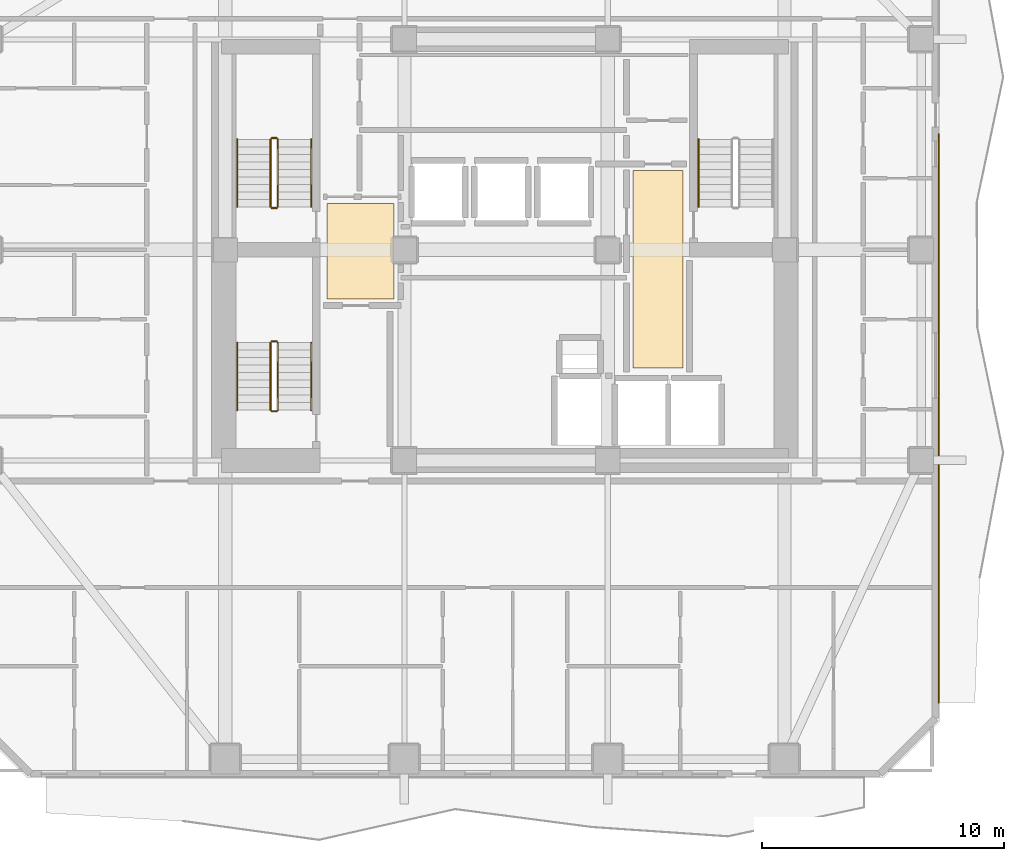
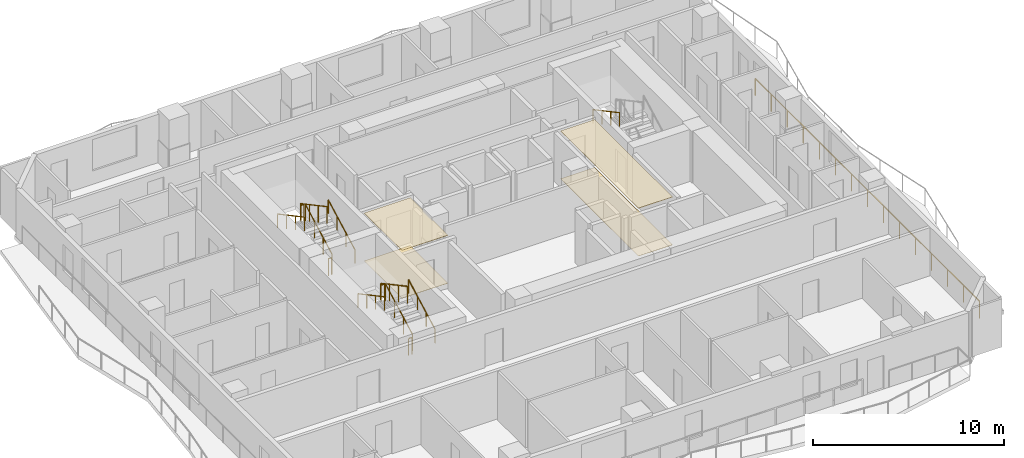
# One storey, part 9 of 11: 14 railings, 4 coverings.
"""IFC4 building model written with IfcOpenShell, lengths in metres."""

from ifc_helpers import new_model, si_unit, direction, frame, origin, origin_2d, place, context, subcontext, project, spatial, polyline, rectangle, outline, extrude, material, layer, layer_set, type_object, element, save


model = new_model("IFC4")

# Units and contexts
model_context = context("Model", 3, precision=1e-05, world=origin(), true_north=direction((0.0, 1.0)))
body_context = subcontext(model_context, "Body", "Model", "MODEL_VIEW")
ifc_project = project(units=[si_unit("LENGTHUNIT", "METRE"), si_unit("AREAUNIT", "SQUARE_METRE"), si_unit("VOLUMEUNIT", "CUBIC_METRE"), si_unit("PLANEANGLEUNIT", "RADIAN"), si_unit("MASSUNIT", "GRAM", prefix="KILO")], contexts=[model_context])

# Site, building, storey
site_placement = place(None, origin())
site = spatial("IfcSite", under=ifc_project, at=site_placement, CompositionType="ELEMENT")
building_placement = place(site_placement, origin())
building = spatial("IfcBuilding", under=site, at=building_placement, Name="Solanera Arch Residences", CompositionType="ELEMENT")
storey_placement = place(building_placement, frame((0.0, 0.0, 109.39990234375)))
storey = spatial("IfcBuildingStorey", under=building, at=storey_placement, Name="L31", CompositionType="ELEMENT", Elevation=109.39990234375)

# Railing
ifc_material_1 = material(Name="Steel S355 (ASTM A992 / A572 Grade 50)", Category="steel")
railing_type_1 = type_object("IfcRailingType", Name="Balustrade Railing BL-1100", PredefinedType="BALUSTRADE", material=ifc_material_1)
railing_1_placement = place(storey_placement, frame((42.8798828125, 35.47412109375, 0.0)))
element("IfcRailing", 1, at=railing_1_placement, inside=storey, type_object=railing_type_1, Name="L31 E Balcony Balustrade 2", PredefinedType="BALUSTRADE", context=body_context, shape_type="SweptSolid", body=[
    extrude(rectangle(XDim=0.048095703125, YDim=0.048095703125, at=origin_2d()), frame((0.0, 0.0, 1.09619140625), z_axis=(0.0, -1.0, 0.0), x_axis=(1.0, 0.0, 0.0)), (0.0, 0.0, 1.0), 23.47412109375),
    extrude(rectangle(XDim=0.0419921875, YDim=0.0419921875, at=origin_2d()), origin(), (0.0, 0.0, 1.0), 1.072021484375),
    extrude(rectangle(XDim=0.0419921875, YDim=0.0419921875, at=origin_2d()), frame((0.0, -1.6767578125, 0.0)), (0.0, 0.0, 1.0), 1.072021484375),
    extrude(rectangle(XDim=0.0419921875, YDim=0.0419921875, at=origin_2d()), frame((0.0, -3.353515625, 0.0)), (0.0, 0.0, 1.0), 1.072021484375),
    extrude(rectangle(XDim=0.0419921875, YDim=0.0419921875, at=origin_2d()), frame((0.0, -5.0302734375, 0.0)), (0.0, 0.0, 1.0), 1.072021484375),
    extrude(rectangle(XDim=0.0419921875, YDim=0.0419921875, at=origin_2d()), frame((0.0, -6.706787109375, 0.0)), (0.0, 0.0, 1.0), 1.072021484375),
    extrude(rectangle(XDim=0.0419921875, YDim=0.0419921875, at=origin_2d()), frame((0.0, -8.383544921875, 0.0)), (0.0, 0.0, 1.0), 1.072021484375),
    extrude(rectangle(XDim=0.0419921875, YDim=0.0419921875, at=origin_2d()), frame((0.0, -10.060302734375, 0.0)), (0.0, 0.0, 1.0), 1.072021484375),
    extrude(rectangle(XDim=0.0419921875, YDim=0.0419921875, at=origin_2d()), frame((0.0, -11.737060546875, 0.0)), (0.0, 0.0, 1.0), 1.072021484375),
    extrude(rectangle(XDim=0.0419921875, YDim=0.0419921875, at=origin_2d()), frame((0.0, -13.413818359375, 0.0)), (0.0, 0.0, 1.0), 1.072021484375),
    extrude(rectangle(XDim=0.0419921875, YDim=0.0419921875, at=origin_2d()), frame((0.0, -15.090576171875, 0.0)), (0.0, 0.0, 1.0), 1.072021484375),
    extrude(rectangle(XDim=0.0419921875, YDim=0.0419921875, at=origin_2d()), frame((0.0, -16.767333984375, 0.0)), (0.0, 0.0, 1.0), 1.072021484375),
    extrude(rectangle(XDim=0.0419921875, YDim=0.0419921875, at=origin_2d()), frame((0.0, -18.44384765625, 0.0)), (0.0, 0.0, 1.0), 1.072021484375),
    extrude(rectangle(XDim=0.0419921875, YDim=0.0419921875, at=origin_2d()), frame((0.0, -20.12060546875, 0.0)), (0.0, 0.0, 1.0), 1.072021484375),
    extrude(rectangle(XDim=0.0419921875, YDim=0.0419921875, at=origin_2d()), frame((0.0, -21.79736328125, 0.0)), (0.0, 0.0, 1.0), 1.072021484375),
    extrude(rectangle(XDim=0.0419921875, YDim=0.0419921875, at=origin_2d()), frame((0.0, -23.47412109375, 0.0)), (0.0, 0.0, 1.0), 1.072021484375),
])

# Coverings
ifc_material_2 = material(Name="Porcelain Acoustic Floor Tile", Category="ceramic")
ifc_layer_1 = layer(ifc_material_2, 0.02001953125)
ifc_layer_set_1 = layer_set([ifc_layer_1], Name="Porcelain Acoustic Floor Tile")
covering_type_1 = type_object("IfcCoveringType", Name="Porcelain Acoustic Floor Finish FLR-20", PredefinedType="FLOORING", material=ifc_layer_set_1)
covering_1_placement = place(storey_placement, origin())
element("IfcCovering", 2, at=covering_1_placement, inside=storey, type_object=covering_type_1, Name="L31-FFL-W Porcelain Floor Finish", PredefinedType="FLOORING", context=body_context, shape_type="SweptSolid", body=[
    extrude(outline(polyline([(20.375, 28.675048828125), (17.594970703125, 28.675048828125), (17.594970703125, 32.625), (20.375, 32.625), (20.375, 28.675048828125)])), origin(), (0.0, 0.0, 1.0), 0.02001953125),
])
covering_2_placement = place(storey_placement, origin())
element("IfcCovering", 3, at=covering_2_placement, inside=storey, type_object=covering_type_1, Name="L31-FFL-E Porcelain Floor Finish", PredefinedType="FLOORING", context=body_context, shape_type="SweptSolid", body=[
    extrude(outline(polyline([(32.304931640625, 25.824951171875), (30.25, 25.824951171875), (30.25, 33.97509765625), (32.304931640625, 33.97509765625), (32.304931640625, 25.824951171875)])), origin(), (0.0, 0.0, 1.0), 0.02001953125),
])

# Railings
ifc_material_3 = material(Name="Steel S355 (ASTM A992 / A572 Grade 50)", Category="steel")
railing_type_2 = type_object("IfcRailingType", Name="Stair Guardrail GR-1100", PredefinedType="GUARDRAIL", material=ifc_material_3)
railing_2_placement = place(storey_placement, frame((15.570068359375, 32.47998046875, 0.151123046875)))
element("IfcRailing", 4, at=railing_2_placement, inside=storey, type_object=railing_type_2, Name="L31 ST-T1 stair guard 1", PredefinedType="GUARDRAIL", context=body_context, shape_type="SweptSolid", body=[
    extrude(rectangle(XDim=0.048095703125, YDim=0.048095703125, at=origin_2d()), frame((0.0, 0.0, 1.076171875), z_axis=(0.0, 0.881580869306, 0.472033018838), x_axis=(-1.0, 0.0, 0.0)), (0.0, 0.0, 1.0), 3.164794921875),
    extrude(rectangle(XDim=0.0419921875, YDim=0.0419921875, at=origin_2d()), origin(), (0.0, 0.0, 1.0), 1.052001953125),
    extrude(rectangle(XDim=0.0419921875, YDim=0.0419921875, at=origin_2d()), frame((0.0, 0.929931640625, 0.498046875)), (0.0, 0.0, 1.0), 1.052001953125),
    extrude(rectangle(XDim=0.0419921875, YDim=0.0419921875, at=origin_2d()), frame((0.0, 1.860107421875, 0.995849609375)), (0.0, 0.0, 1.0), 1.052001953125),
    extrude(rectangle(XDim=0.0419921875, YDim=0.0419921875, at=origin_2d()), frame((0.0, 2.7900390625, 1.493896484375)), (0.0, 0.0, 1.0), 1.052001953125),
])
railing_3_placement = place(storey_placement, frame((15.52001953125, 35.320068359375, 1.64501953125)))
element("IfcRailing", 5, at=railing_3_placement, inside=storey, type_object=railing_type_2, Name="L31 ST-T1 stair guard 2", PredefinedType="GUARDRAIL", context=body_context, shape_type="SweptSolid", body=[
    extrude(rectangle(XDim=0.048095703125, YDim=0.048095703125, at=origin_2d()), frame((0.0, 0.0, 1.076171875), z_axis=(-1.0, 0.0, 0.0), x_axis=(0.0, -1.0, 0.0)), (0.0, 0.0, 1.0), 0.199951171875),
    extrude(rectangle(XDim=0.0419921875, YDim=0.0419921875, at=origin_2d()), origin(), (0.0, 0.0, 1.0), 1.052001953125),
    extrude(rectangle(XDim=0.0419921875, YDim=0.0419921875, at=origin_2d()), frame((-0.199951171875, 0.0, 0.0)), (0.0, 0.0, 1.0), 1.052001953125),
])
railing_4_placement = place(storey_placement, frame((15.27001953125, 35.27001953125, 1.81103515625)))
element("IfcRailing", 6, at=railing_4_placement, inside=storey, type_object=railing_type_2, Name="L31 ST-T1 stair guard 3", PredefinedType="GUARDRAIL", context=body_context, shape_type="SweptSolid", body=[
    extrude(rectangle(XDim=0.048095703125, YDim=0.048095703125, at=origin_2d()), frame((0.0, 0.0, 1.076171875), z_axis=(0.0, -0.881548766853, 0.472092969298), x_axis=(1.0, 0.0, 0.0)), (0.0, 0.0, 1.0), 3.1650390625),
    extrude(rectangle(XDim=0.0419921875, YDim=0.0419921875, at=origin_2d()), origin(), (0.0, 0.0, 1.0), 1.052001953125),
    extrude(rectangle(XDim=0.0419921875, YDim=0.0419921875, at=origin_2d()), frame((0.0, -0.929931640625, 0.498046875)), (0.0, 0.0, 1.0), 1.052001953125),
    extrude(rectangle(XDim=0.0419921875, YDim=0.0419921875, at=origin_2d()), frame((0.0, -1.860107421875, 0.99609375)), (0.0, 0.0, 1.0), 1.052001953125),
    extrude(rectangle(XDim=0.0419921875, YDim=0.0419921875, at=origin_2d()), frame((0.0, -2.7900390625, 1.494140625)), (0.0, 0.0, 1.0), 1.052001953125),
])
railing_5_placement = place(storey_placement, frame((15.52001953125, 32.429931640625, -0.014892578125)))
element("IfcRailing", 7, at=railing_5_placement, inside=storey, type_object=railing_type_2, Name="L31 ST-T1 stair guard 4", PredefinedType="GUARDRAIL", context=body_context, shape_type="SweptSolid", body=[
    extrude(rectangle(XDim=0.048095703125, YDim=0.048095703125, at=origin_2d()), frame((0.0, 0.0, 1.076171875), z_axis=(-1.0, 0.0, 0.0), x_axis=(0.0, -1.0, 0.0)), (0.0, 0.0, 1.0), 0.199951171875),
    extrude(rectangle(XDim=0.0419921875, YDim=0.0419921875, at=origin_2d()), origin(), (0.0, 0.0, 1.0), 1.052001953125),
    extrude(rectangle(XDim=0.0419921875, YDim=0.0419921875, at=origin_2d()), frame((-0.199951171875, 0.0, 0.0)), (0.0, 0.0, 1.0), 1.052001953125),
])
railing_6_placement = place(storey_placement, frame((15.570068359375, 24.080078125, 0.151123046875)))
element("IfcRailing", 8, at=railing_6_placement, inside=storey, type_object=railing_type_2, Name="L31 ST-T3 stair guard 1", PredefinedType="GUARDRAIL", context=body_context, shape_type="SweptSolid", body=[
    extrude(rectangle(XDim=0.048095703125, YDim=0.048095703125, at=origin_2d()), frame((0.0, 0.0, 1.076171875), z_axis=(0.0, 0.881580869306, 0.472033018838), x_axis=(-1.0, 0.0, 0.0)), (0.0, 0.0, 1.0), 3.164794921875),
    extrude(rectangle(XDim=0.0419921875, YDim=0.0419921875, at=origin_2d()), origin(), (0.0, 0.0, 1.0), 1.052001953125),
    extrude(rectangle(XDim=0.0419921875, YDim=0.0419921875, at=origin_2d()), frame((0.0, 0.929931640625, 0.498046875)), (0.0, 0.0, 1.0), 1.052001953125),
    extrude(rectangle(XDim=0.0419921875, YDim=0.0419921875, at=origin_2d()), frame((0.0, 1.860107421875, 0.995849609375)), (0.0, 0.0, 1.0), 1.052001953125),
    extrude(rectangle(XDim=0.0419921875, YDim=0.0419921875, at=origin_2d()), frame((0.0, 2.7900390625, 1.493896484375)), (0.0, 0.0, 1.0), 1.052001953125),
])
railing_7_placement = place(storey_placement, frame((15.52001953125, 26.919921875, 1.64501953125)))
element("IfcRailing", 9, at=railing_7_placement, inside=storey, type_object=railing_type_2, Name="L31 ST-T3 stair guard 2", PredefinedType="GUARDRAIL", context=body_context, shape_type="SweptSolid", body=[
    extrude(rectangle(XDim=0.048095703125, YDim=0.048095703125, at=origin_2d()), frame((0.0, 0.0, 1.076171875), z_axis=(-1.0, 0.0, 0.0), x_axis=(0.0, -1.0, 0.0)), (0.0, 0.0, 1.0), 0.199951171875),
    extrude(rectangle(XDim=0.0419921875, YDim=0.0419921875, at=origin_2d()), origin(), (0.0, 0.0, 1.0), 1.052001953125),
    extrude(rectangle(XDim=0.0419921875, YDim=0.0419921875, at=origin_2d()), frame((-0.199951171875, 0.0, 0.0)), (0.0, 0.0, 1.0), 1.052001953125),
])
railing_8_placement = place(storey_placement, frame((15.27001953125, 26.8701171875, 1.81103515625)))
element("IfcRailing", 10, at=railing_8_placement, inside=storey, type_object=railing_type_2, Name="L31 ST-T3 stair guard 3", PredefinedType="GUARDRAIL", context=body_context, shape_type="SweptSolid", body=[
    extrude(rectangle(XDim=0.048095703125, YDim=0.048095703125, at=origin_2d()), frame((0.0, 0.0, 1.076171875), z_axis=(0.0, -0.881548766853, 0.472092969298), x_axis=(1.0, 0.0, 0.0)), (0.0, 0.0, 1.0), 3.1650390625),
    extrude(rectangle(XDim=0.0419921875, YDim=0.0419921875, at=origin_2d()), origin(), (0.0, 0.0, 1.0), 1.052001953125),
    extrude(rectangle(XDim=0.0419921875, YDim=0.0419921875, at=origin_2d()), frame((0.0, -0.929931640625, 0.498046875)), (0.0, 0.0, 1.0), 1.052001953125),
    extrude(rectangle(XDim=0.0419921875, YDim=0.0419921875, at=origin_2d()), frame((0.0, -1.860107421875, 0.99609375)), (0.0, 0.0, 1.0), 1.052001953125),
    extrude(rectangle(XDim=0.0419921875, YDim=0.0419921875, at=origin_2d()), frame((0.0, -2.7900390625, 1.494140625)), (0.0, 0.0, 1.0), 1.052001953125),
])
railing_9_placement = place(storey_placement, frame((15.52001953125, 24.030029296875, -0.014892578125)))
element("IfcRailing", 11, at=railing_9_placement, inside=storey, type_object=railing_type_2, Name="L31 ST-T3 stair guard 4", PredefinedType="GUARDRAIL", context=body_context, shape_type="SweptSolid", body=[
    extrude(rectangle(XDim=0.048095703125, YDim=0.048095703125, at=origin_2d()), frame((0.0, 0.0, 1.076171875), z_axis=(-1.0, 0.0, 0.0), x_axis=(0.0, -1.0, 0.0)), (0.0, 0.0, 1.0), 0.199951171875),
    extrude(rectangle(XDim=0.0419921875, YDim=0.0419921875, at=origin_2d()), origin(), (0.0, 0.0, 1.0), 1.052001953125),
    extrude(rectangle(XDim=0.0419921875, YDim=0.0419921875, at=origin_2d()), frame((-0.199951171875, 0.0, 0.0)), (0.0, 0.0, 1.0), 1.052001953125),
])
ifc_material_4 = material(Name="Steel S355 (ASTM A992 / A572 Grade 50)", Category="steel")
railing_type_3 = type_object("IfcRailingType", Name="Stair Wall Handrail HR-920", PredefinedType="HANDRAIL", material=ifc_material_4)
railing_10_placement = place(storey_placement, frame((16.949951171875, 32.47998046875, 0.166015625)))
element("IfcRailing", 12, at=railing_10_placement, inside=storey, type_object=railing_type_3, Name="L31 ST-T1 stair handrail 1", PredefinedType="HANDRAIL", context=body_context, shape_type="SweptSolid", body=[
    extrude(rectangle(XDim=0.048095703125, YDim=0.048095703125, at=origin_2d()), frame((0.0, 0.0, 0.8759765625), z_axis=(0.0, 0.881548766853, 0.472092969298), x_axis=(-1.0, 0.0, 0.0)), (0.0, 0.0, 1.0), 3.1650390625),
    extrude(rectangle(XDim=0.0419921875, YDim=0.0419921875, at=origin_2d()), origin(), (0.0, 0.0, 1.0), 0.851806640625),
    extrude(rectangle(XDim=0.0419921875, YDim=0.0419921875, at=origin_2d()), frame((0.0, 0.929931640625, 0.498046875)), (0.0, 0.0, 1.0), 0.851806640625),
    extrude(rectangle(XDim=0.0419921875, YDim=0.0419921875, at=origin_2d()), frame((0.0, 1.860107421875, 0.99609375)), (0.0, 0.0, 1.0), 0.851806640625),
    extrude(rectangle(XDim=0.0419921875, YDim=0.0419921875, at=origin_2d()), frame((0.0, 2.7900390625, 1.494140625)), (0.0, 0.0, 1.0), 0.851806640625),
])
for number, where, name in (
    (13, (13.889892578125, 35.27001953125, 1.826171875), "L31 ST-T1 stair handrail 2"),
    (14, (32.949951171875, 35.27001953125, 1.826171875), "L31 ST-T2 stair handrail 2"),
):
    element("IfcRailing", number, at=place(storey_placement, frame(where)), inside=storey, type_object=railing_type_3, Name=name, PredefinedType="HANDRAIL", context=body_context, shape_type="SweptSolid", body=[
        extrude(rectangle(XDim=0.048095703125, YDim=0.048095703125, at=origin_2d()), frame((0.0, 0.0, 0.8759765625), z_axis=(0.0, -0.881580869306, 0.472033018838), x_axis=(1.0, 0.0, 0.0)), (0.0, 0.0, 1.0), 3.164794921875),
        extrude(rectangle(XDim=0.0419921875, YDim=0.0419921875, at=origin_2d()), origin(), (0.0, 0.0, 1.0), 0.851806640625),
        extrude(rectangle(XDim=0.0419921875, YDim=0.0419921875, at=origin_2d()), frame((0.0, -0.929931640625, 0.498046875)), (0.0, 0.0, 1.0), 0.851806640625),
        extrude(rectangle(XDim=0.0419921875, YDim=0.0419921875, at=origin_2d()), frame((0.0, -1.860107421875, 0.995849609375)), (0.0, 0.0, 1.0), 0.851806640625),
        extrude(rectangle(XDim=0.0419921875, YDim=0.0419921875, at=origin_2d()), frame((0.0, -2.7900390625, 1.493896484375)), (0.0, 0.0, 1.0), 0.851806640625),
    ])
railing_11_placement = place(storey_placement, frame((16.949951171875, 24.080078125, 0.166015625)))
element("IfcRailing", 15, at=railing_11_placement, inside=storey, type_object=railing_type_3, Name="L31 ST-T3 stair handrail 1", PredefinedType="HANDRAIL", context=body_context, shape_type="SweptSolid", body=[
    extrude(rectangle(XDim=0.048095703125, YDim=0.048095703125, at=origin_2d()), frame((0.0, 0.0, 0.8759765625), z_axis=(0.0, 0.881548766853, 0.472092969298), x_axis=(-1.0, 0.0, 0.0)), (0.0, 0.0, 1.0), 3.1650390625),
    extrude(rectangle(XDim=0.0419921875, YDim=0.0419921875, at=origin_2d()), origin(), (0.0, 0.0, 1.0), 0.851806640625),
    extrude(rectangle(XDim=0.0419921875, YDim=0.0419921875, at=origin_2d()), frame((0.0, 0.929931640625, 0.498046875)), (0.0, 0.0, 1.0), 0.851806640625),
    extrude(rectangle(XDim=0.0419921875, YDim=0.0419921875, at=origin_2d()), frame((0.0, 1.860107421875, 0.99609375)), (0.0, 0.0, 1.0), 0.851806640625),
    extrude(rectangle(XDim=0.0419921875, YDim=0.0419921875, at=origin_2d()), frame((0.0, 2.7900390625, 1.494140625)), (0.0, 0.0, 1.0), 0.851806640625),
])
railing_12_placement = place(storey_placement, frame((13.889892578125, 26.8701171875, 1.826171875)))
element("IfcRailing", 16, at=railing_12_placement, inside=storey, type_object=railing_type_3, Name="L31 ST-T3 stair handrail 2", PredefinedType="HANDRAIL", context=body_context, shape_type="SweptSolid", body=[
    extrude(rectangle(XDim=0.048095703125, YDim=0.048095703125, at=origin_2d()), frame((0.0, 0.0, 0.8759765625), z_axis=(0.0, -0.881580869306, 0.472033018838), x_axis=(1.0, 0.0, 0.0)), (0.0, 0.0, 1.0), 3.164794921875),
    extrude(rectangle(XDim=0.0419921875, YDim=0.0419921875, at=origin_2d()), origin(), (0.0, 0.0, 1.0), 0.851806640625),
    extrude(rectangle(XDim=0.0419921875, YDim=0.0419921875, at=origin_2d()), frame((0.0, -0.929931640625, 0.498046875)), (0.0, 0.0, 1.0), 0.851806640625),
    extrude(rectangle(XDim=0.0419921875, YDim=0.0419921875, at=origin_2d()), frame((0.0, -1.860107421875, 0.995849609375)), (0.0, 0.0, 1.0), 0.851806640625),
    extrude(rectangle(XDim=0.0419921875, YDim=0.0419921875, at=origin_2d()), frame((0.0, -2.7900390625, 1.493896484375)), (0.0, 0.0, 1.0), 0.851806640625),
])

# Coverings
ifc_material_5 = material(Name="Mineral Fibre Acoustic Ceiling Board", Category="gypsum")
ifc_layer_2 = layer(ifc_material_5, 0.02490234375)
ifc_layer_set_2 = layer_set([ifc_layer_2], Name="Mineral Fibre Acoustic Ceiling Board")
covering_type_2 = type_object("IfcCoveringType", Name="Suspended Acoustic Ceiling Board CLG-25", PredefinedType="CEILING", material=ifc_layer_set_2)
covering_3_placement = place(storey_placement, frame((0.0, 0.0, 3.05517578125)))
element("IfcCovering", 17, at=covering_3_placement, inside=storey, type_object=covering_type_2, Name="L31-FFL-W Acoustic Ceiling", PredefinedType="CEILING", context=body_context, shape_type="SweptSolid", body=[
    extrude(outline(polyline([(20.375, 28.675048828125), (17.594970703125, 28.675048828125), (17.594970703125, 32.625), (20.375, 32.625), (20.375, 28.675048828125)])), origin(), (0.0, 0.0, 1.0), 0.02490234375),
])
covering_4_placement = place(storey_placement, frame((0.0, 0.0, 3.05517578125)))
element("IfcCovering", 18, at=covering_4_placement, inside=storey, type_object=covering_type_2, Name="L31-FFL-E Acoustic Ceiling", PredefinedType="CEILING", context=body_context, shape_type="SweptSolid", body=[
    extrude(outline(polyline([(32.304931640625, 25.824951171875), (30.25, 25.824951171875), (30.25, 33.97509765625), (32.304931640625, 33.97509765625), (32.304931640625, 25.824951171875)])), origin(), (0.0, 0.0, 1.0), 0.02490234375),
])

save(model, "model.ifc")
